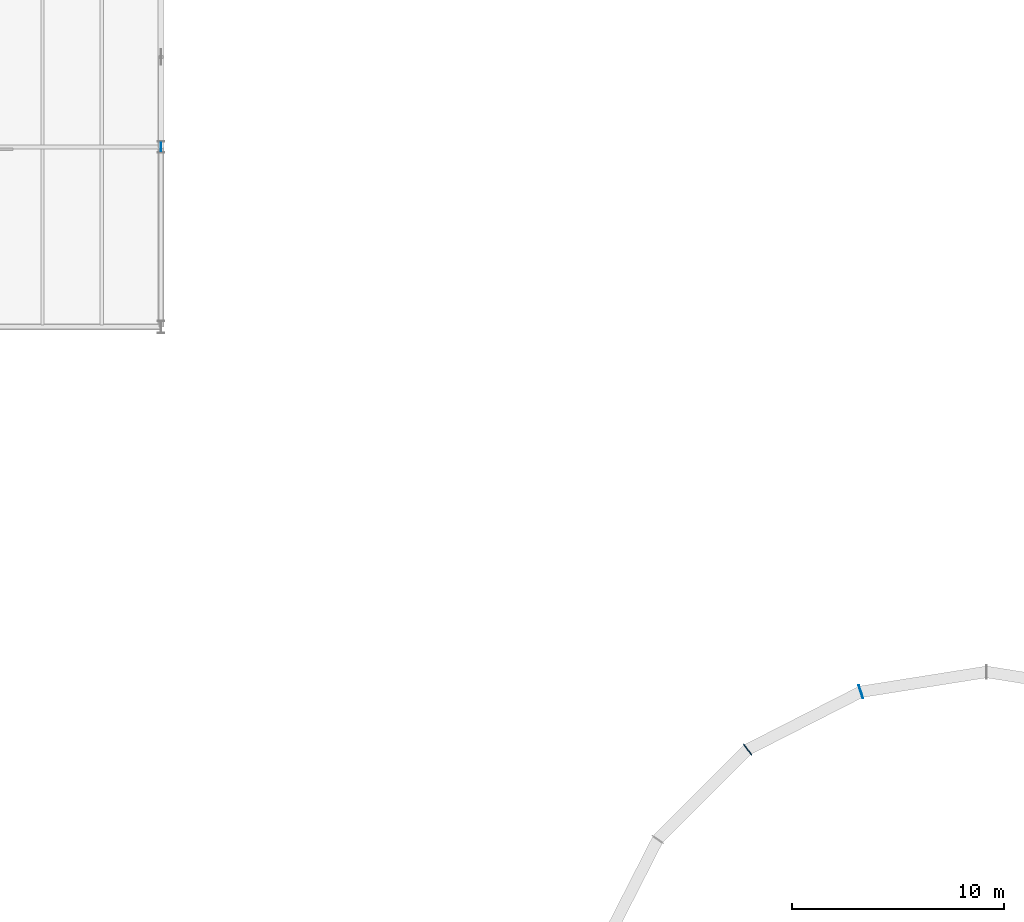
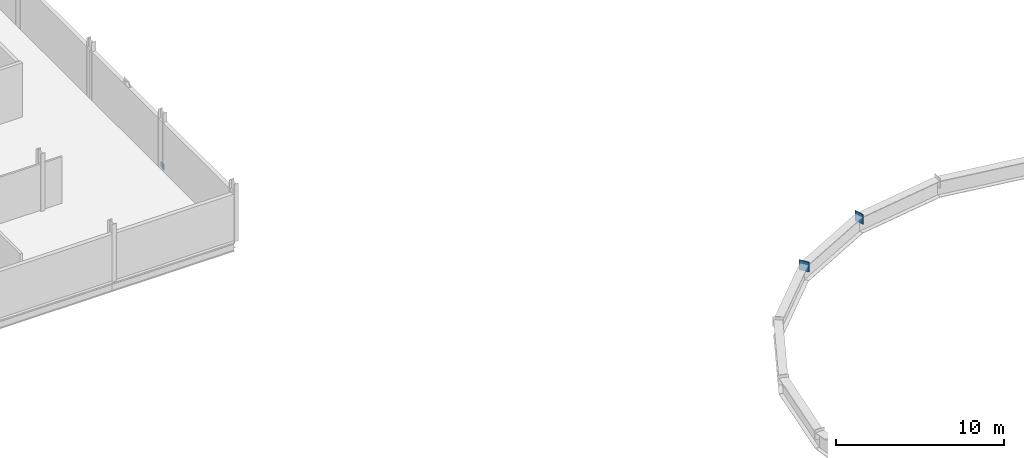
# One storey, part 26 of 45: 3 plates.
"""IFC4 building model written with IfcOpenShell, lengths in metres."""

from ifc_helpers import new_model, si_unit, direction, frame, origin, origin_2d, place, context, subcontext, project, spatial, rectangle, extrude, material, layer, layer_set, type_object, element, save


model = new_model("IFC4")

# Units and contexts
model_context = context("Model", 3, precision=1e-05, world=origin(), true_north=direction((0.0, 1.0)))
body_context = subcontext(model_context, "Body", "Model", "MODEL_VIEW")
ifc_project = project(units=[si_unit("LENGTHUNIT", "METRE"), si_unit("AREAUNIT", "SQUARE_METRE"), si_unit("VOLUMEUNIT", "CUBIC_METRE"), si_unit("PLANEANGLEUNIT", "RADIAN"), si_unit("MASSUNIT", "GRAM", prefix="KILO")], contexts=[model_context])

# Site, building, storey
site_placement = place(None, origin())
site = spatial("IfcSite", under=ifc_project, at=site_placement, CompositionType="ELEMENT")
building_placement = place(site_placement, origin())
building = spatial("IfcBuilding", under=site, at=building_placement, Name="Sefraquen Railside Congress Hotel", CompositionType="ELEMENT")
storey_placement = place(building_placement, frame((0.0, 0.0, 20.39990234375)))
storey = spatial("IfcBuildingStorey", under=building, at=storey_placement, Name="L04", CompositionType="ELEMENT", Elevation=20.39990234375)

# Plates
ifc_material = material(Name="Steel S355J2", Category="steel")
ifc_layer = layer(ifc_material, 0.0400390625)
ifc_layer_set = layer_set([ifc_layer], Name="Steel S355J2")
plate_type = type_object("IfcPlateType", Name="TP-GUS-02", PredefinedType="SHEET", material=ifc_layer_set)
for number, where, z_axis, x_axis, name in (
    (1, (58.266845703125, 45.26025390625, 0.09033203125), (0.0, 0.0, 1.0), (-0.309016994375, 0.951056516295, 0.0), "Dome ring-beam radial fin plate 07"),
    (2, (52.91455078125, 42.533203125, 0.09033203125), (0.0, 0.0, 1.0), (-0.587785252292, 0.809016994375, 0.0), "Dome ring-beam radial fin plate 08"),
):
    element("IfcPlate", number, at=place(storey_placement, frame(where, z_axis=z_axis, x_axis=x_axis)), inside=storey, type_object=plate_type, Name=name, PredefinedType="SHEET", context=body_context, shape_type="SweptSolid", body=[
        extrude(rectangle(XDim=0.64990234375, YDim=0.0400390625, at=origin_2d()), origin(), (0.0, 0.0, 1.0), 0.719970703125),
    ])
plate_placement = place(storey_placement, frame((25.199951171875, 71.0, 0.0), z_axis=(0.0, 0.0, 1.0), x_axis=(0.0, 1.0, 0.0)))
element("IfcPlate", 3, at=plate_placement, inside=storey, type_object=plate_type, Name="Chevron braced-frame base gusset plate BF2-L L04", PredefinedType="SHEET", context=body_context, shape_type="SweptSolid", body=[
    extrude(rectangle(XDim=0.419921875, YDim=0.0400390625, at=origin_2d()), origin(), (0.0, 0.0, 1.0), 0.360107421875),
])

save(model, "model.ifc")
